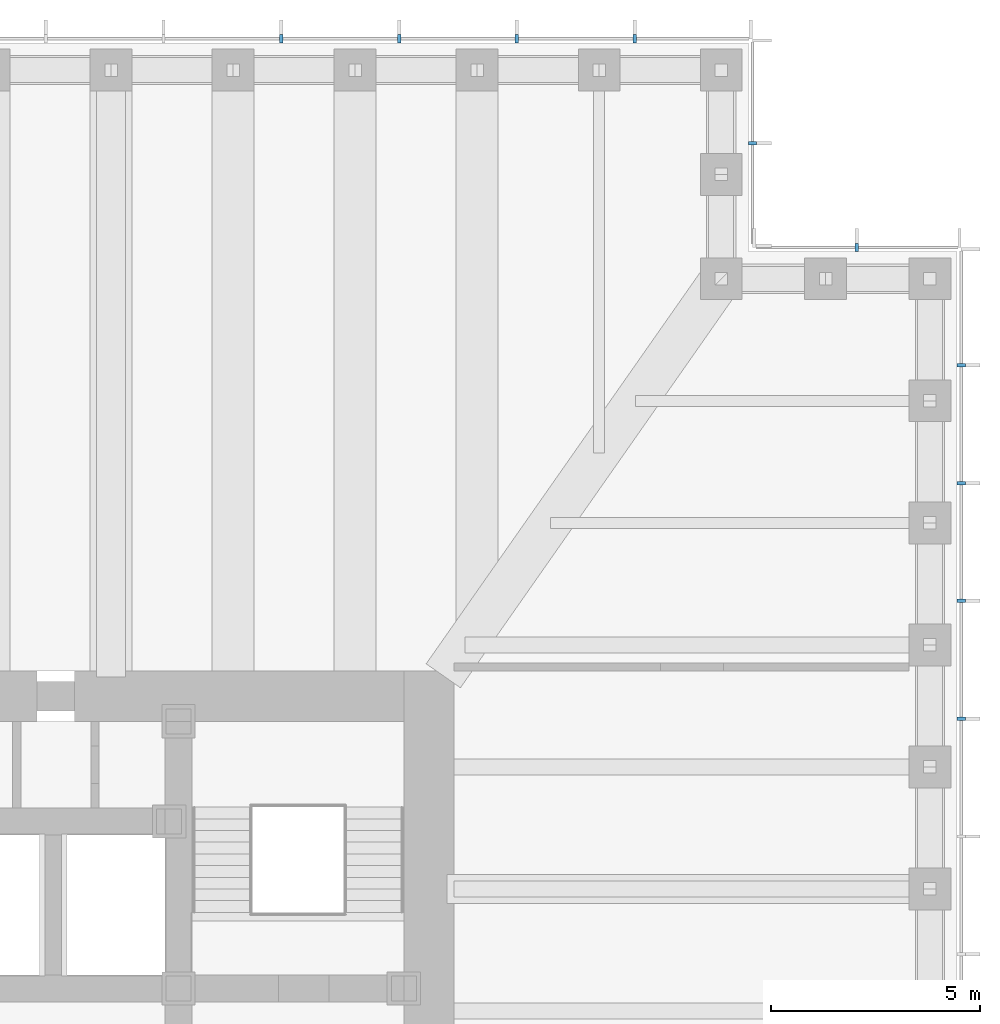
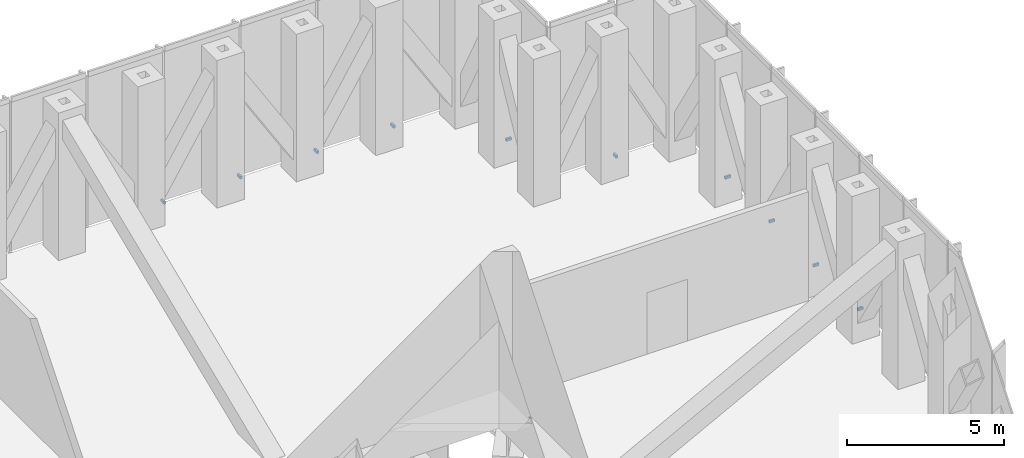
# One storey, part 14 of 15: 10 discrete accessories.
"""IFC4 building model written with IfcOpenShell, lengths in metres."""

from ifc_helpers import new_model, si_unit, direction, frame, origin, origin_2d, place, context, subcontext, project, spatial, rectangle, extrude, element, save


model = new_model("IFC4")

# Units and contexts
model_context = context("Model", 3, precision=1e-05, world=origin(), true_north=direction((0.0, 1.0)))
body_context = subcontext(model_context, "Body", "Model", "MODEL_VIEW")
ifc_project = project(units=[si_unit("LENGTHUNIT", "METRE"), si_unit("AREAUNIT", "SQUARE_METRE"), si_unit("VOLUMEUNIT", "CUBIC_METRE"), si_unit("PLANEANGLEUNIT", "RADIAN"), si_unit("MASSUNIT", "GRAM", prefix="KILO")], contexts=[model_context])

# Site, building, storey
site_placement = place(None, origin())
site = spatial("IfcSite", under=ifc_project, at=site_placement, CompositionType="ELEMENT")
building_placement = place(site_placement, origin())
building = spatial("IfcBuilding", under=site, at=building_placement, Name="Daluyong Arena Tower", CompositionType="ELEMENT")
storey_placement = place(building_placement, frame((0.0, 0.0, 102.10009765625)))
storey = spatial("IfcBuildingStorey", under=building, at=storey_placement, Name="L22", CompositionType="ELEMENT", Elevation=102.10009765625)

# Discrete accessories
for number, where, z_axis, x_axis, name in (
    (1, (80.75, 88.46435546875, -0.10009765625), (0.0, 0.0, 1.0), (0.0, 1.0, 0.0), "curtain wall L22 E anchor bracket 11"),
    (2, (80.75, 91.28564453125, -0.10009765625), (0.0, 0.0, 1.0), (0.0, 1.0, 0.0), "curtain wall L22 E anchor bracket 12"),
    (3, (80.75, 94.107177734375, -0.10009765625), (0.0, 0.0, 1.0), (0.0, 1.0, 0.0), "curtain wall L22 E anchor bracket 13"),
    (4, (80.75, 96.928466796875, -0.10009765625), (0.0, 0.0, 1.0), (0.0, 1.0, 0.0), "curtain wall L22 E anchor bracket 14"),
    (5, (78.25, 99.75, -0.10009765625), (0.0, 0.0, 1.0), (-1.0, 0.0, 0.0), "curtain wall L22 NE-N anchor bracket 2"),
    (6, (75.75, 102.25, -0.10009765625), (0.0, 0.0, 1.0), (0.0, 1.0, 0.0), "curtain wall L22 NE-E anchor bracket 2"),
    (7, (72.928466796875, 104.75, -0.10009765625), (0.0, 0.0, 1.0), (-1.0, 0.0, 0.0), "curtain wall L22 N anchor bracket 2"),
    (8, (70.107177734375, 104.75, -0.10009765625), (0.0, 0.0, 1.0), (-1.0, 0.0, 0.0), "curtain wall L22 N anchor bracket 3"),
    (9, (67.28564453125, 104.75, -0.10009765625), (0.0, 0.0, 1.0), (-1.0, 0.0, 0.0), "curtain wall L22 N anchor bracket 4"),
    (10, (64.46435546875, 104.75, -0.10009765625), (0.0, 0.0, 1.0), (-1.0, 0.0, 0.0), "curtain wall L22 N anchor bracket 5"),
):
    element("IfcDiscreteAccessory", number, at=place(storey_placement, frame(where, z_axis=z_axis, x_axis=x_axis)), inside=storey, Name=name, PredefinedType="BRACKET", context=body_context, shape_type="SweptSolid", body=[
        extrude(rectangle(XDim=0.080078125, YDim=0.199951171875, at=origin_2d()), origin(), (0.0, 0.0, 1.0), 0.10009765625),
    ])

save(model, "model.ifc")
